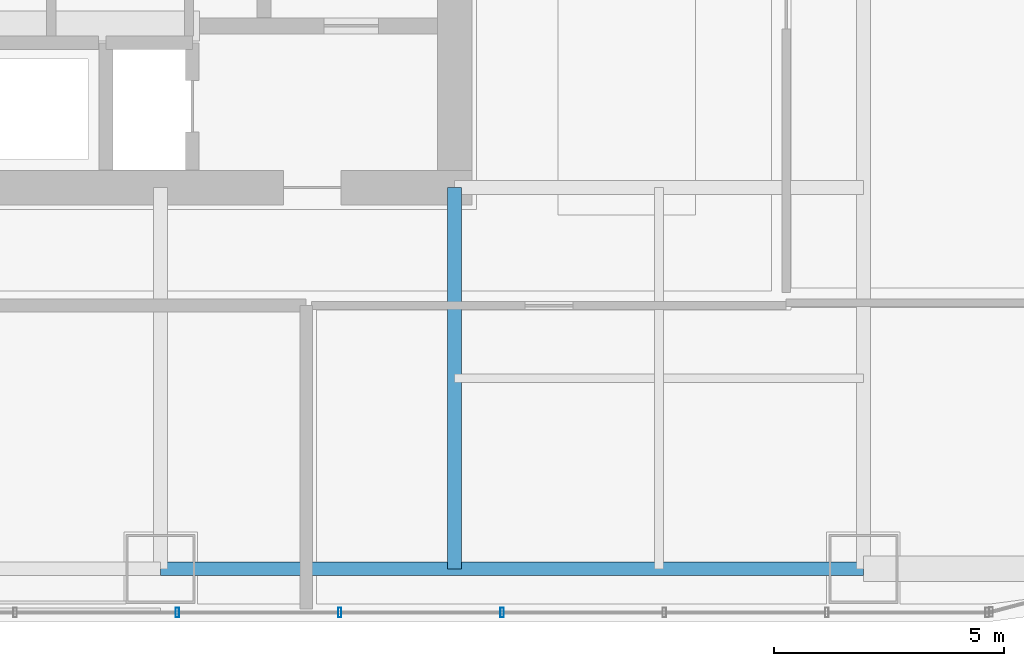
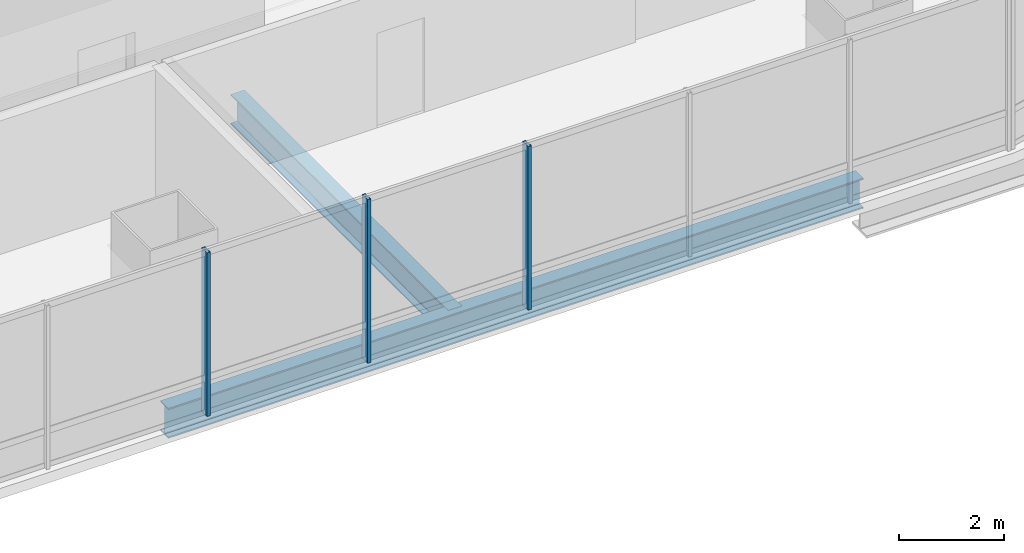
# One storey, part 7 of 34: 3 members, 2 beams, 1 element without a shape of its own.
"""IFC4 building model written with IfcOpenShell, lengths in metres."""

from ifc_helpers import new_model, si_unit, direction, frame, origin, origin_2d, place, context, subcontext, project, spatial, hollow_rectangle, i_section, extrude, material, material_profile, profile_set, type_object, element, aggregate, save


model = new_model("IFC4")

# Units and contexts
model_context = context("Model", 3, precision=1e-05, world=origin(), true_north=direction((0.0, 1.0)))
body_context = subcontext(model_context, "Body", "Model", "MODEL_VIEW")
ifc_project = project(units=[si_unit("LENGTHUNIT", "METRE"), si_unit("AREAUNIT", "SQUARE_METRE"), si_unit("VOLUMEUNIT", "CUBIC_METRE"), si_unit("PLANEANGLEUNIT", "RADIAN"), si_unit("MASSUNIT", "GRAM", prefix="KILO")], contexts=[model_context])

# Site, building, storey
site_placement = place(None, origin())
site = spatial("IfcSite", under=ifc_project, at=site_placement, CompositionType="ELEMENT")
building_placement = place(site_placement, origin())
building = spatial("IfcBuilding", under=site, at=building_placement, Name="Punatoya Terracotta Tower", CompositionType="ELEMENT")
storey_placement = place(building_placement, frame((0.0, 0.0, 97.050048828125)))
storey = spatial("IfcBuildingStorey", under=building, at=storey_placement, Name="L22", CompositionType="ELEMENT", Elevation=97.050048828125)

# Beams
ifc_material_1 = material(Name="Steel S355", Category="steel")
ifc_material_profile_1 = material_profile(ifc_material_1, i_section(OverallWidth=0.300048828125, OverallDepth=0.699951171875, WebThickness=0.01708984375, FlangeThickness=0.031982421875, FilletRadius=0.01806640625, at=origin_2d()))
ifc_profile_set_1 = profile_set([ifc_material_profile_1], Name="Steel S355")
beam_type = type_object("IfcBeamType", Name="BM-PRI-700", PredefinedType="BEAM", material=ifc_profile_set_1)
beam_1_placement = place(storey_placement, frame((3.800048828125, -17.5, -0.590087890625), z_axis=(1.0, 0.0, 0.0), x_axis=(0.0, 1.0, 0.0)))
element("IfcBeam", 1, at=beam_1_placement, inside=storey, type_object=beam_type, Name="BM-L22-RG-S3", PredefinedType="BEAM", context=body_context, shape_type="SweptSolid", body=[
    extrude(i_section(OverallWidth=0.300048828125, OverallDepth=0.699951171875, WebThickness=0.01708984375, FlangeThickness=0.031982421875, FilletRadius=0.01806640625, at=origin_2d()), origin(), (0.0, 0.0, 1.0), 15.300048828125),
])
beam_2_placement = place(storey_placement, frame((10.199951171875, -17.5, -0.590087890625), z_axis=(0.0, 1.0, 0.0), x_axis=(-1.0, 0.0, 0.0)))
element("IfcBeam", 2, at=beam_2_placement, inside=storey, type_object=beam_type, Name="BM-L22-PR-S4", PredefinedType="BEAM", context=body_context, shape_type="SweptSolid", body=[
    extrude(i_section(OverallWidth=0.300048828125, OverallDepth=0.699951171875, WebThickness=0.01708984375, FlangeThickness=0.031982421875, FilletRadius=0.01806640625, at=origin_2d()), origin(), (0.0, 0.0, 1.0), 8.300048828125),
])

# Curtain wall, members
ifc_material_2 = material(Name="Aluminium 6063-T6 + Double Low-E Glass", Category="aluminium")
curtain_wall_type = type_object("IfcCurtainWallType", Name="CW-M1", PredefinedType="NOTDEFINED", material=ifc_material_2)
curtain_wall_placement = place(storey_placement, origin())
curtain_wall = element("IfcCurtainWall", 3, at=curtain_wall_placement, inside=storey, type_object=curtain_wall_type, Name="L22 Curtain Wall CW-L22-S01-1", PredefinedType="NOTDEFINED")
ifc_material_3 = material(Name="Aluminium 6063-T6", Category="aluminium")
ifc_material_profile_2 = material_profile(ifc_material_3, hollow_rectangle(XDim=0.074951171875, YDim=0.2099609375, WallThickness=0.00439453125, at=origin_2d()))
ifc_profile_set_2 = profile_set([ifc_material_profile_2], Name="Aluminium 6063-T6")
member_type = type_object("IfcMemberType", Name="CW-MUL-M1", PredefinedType="MULLION", material=ifc_profile_set_2)
member_1_placement = place(storey_placement, frame((4.1669921875, -18.449951171875, 0.0), z_axis=(0.0, 0.0, 1.0), x_axis=(1.0, 0.0, 0.0)))
member_1 = element("IfcMember", 4, at=member_1_placement, type_object=member_type, Name="CW-L22-S01-1 Mullion 06", PredefinedType="MULLION", context=body_context, shape_type="SweptSolid", body=[
    extrude(hollow_rectangle(XDim=0.074951171875, YDim=0.2099609375, WallThickness=0.00439453125, at=origin_2d()), origin(), (0.0, 0.0, 1.0), 3.81005859375),
])
member_2_placement = place(storey_placement, frame((7.700927734375, -18.449951171875, 0.0), z_axis=(0.0, 0.0, 1.0), x_axis=(1.0, 0.0, 0.0)))
member_2 = element("IfcMember", 5, at=member_2_placement, type_object=member_type, Name="CW-L22-S01-1 Mullion 07", PredefinedType="MULLION", context=body_context, shape_type="SweptSolid", body=[
    extrude(hollow_rectangle(XDim=0.074951171875, YDim=0.2099609375, WallThickness=0.00439453125, at=origin_2d()), origin(), (0.0, 0.0, 1.0), 3.81005859375),
])
member_3_placement = place(storey_placement, frame((11.235107421875, -18.449951171875, 0.0), z_axis=(0.0, 0.0, 1.0), x_axis=(1.0, 0.0, 0.0)))
member_3 = element("IfcMember", 6, at=member_3_placement, type_object=member_type, Name="CW-L22-S01-1 Mullion 08", PredefinedType="MULLION", context=body_context, shape_type="SweptSolid", body=[
    extrude(hollow_rectangle(XDim=0.074951171875, YDim=0.2099609375, WallThickness=0.00439453125, at=origin_2d()), origin(), (0.0, 0.0, 1.0), 3.81005859375),
])
aggregate(curtain_wall, [member_1, member_2, member_3])

save(model, "model.ifc")
